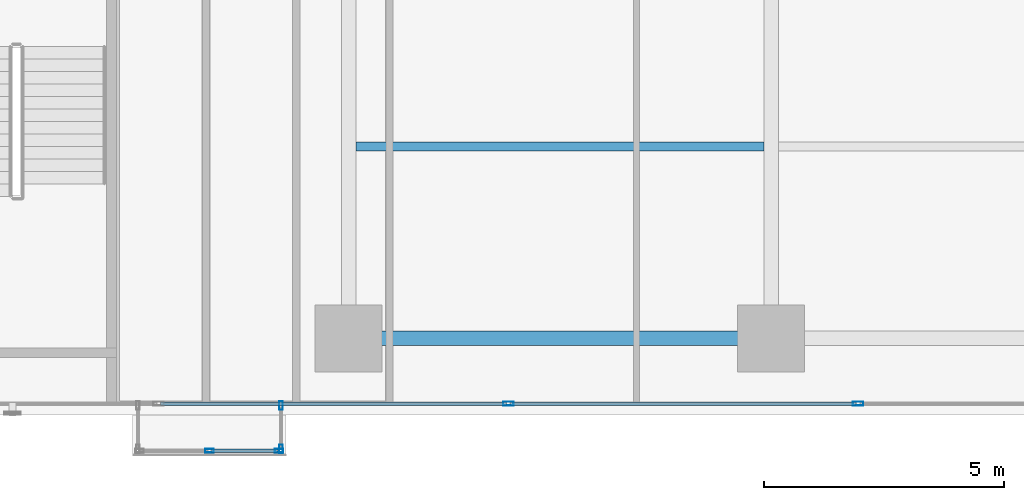
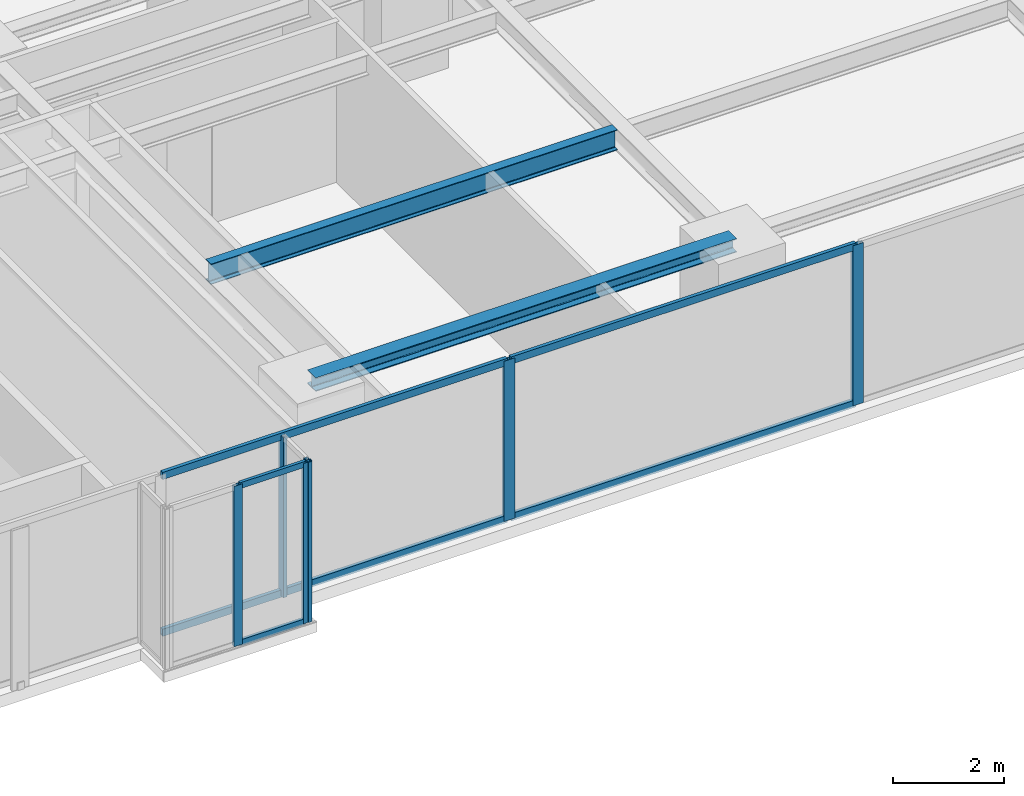
# One storey, part 12 of 26: 12 members, 2 beams, 3 elements without a shape of their own.
"""IFC4 building model written with IfcOpenShell, lengths in metres."""

from ifc_helpers import new_model, si_unit, direction, frame, origin, origin_with_axes, origin_2d, place, context, subcontext, project, spatial, hollow_rectangle, i_section, extrude, source, transform, mapped, material, layer, layer_set, material_profile, profile_set, type_object, element, aggregate, save


model = new_model("IFC4")

# Units and contexts
model_context = context("Model", 3, precision=1e-05, world=origin(), true_north=direction((0.0, 1.0)))
body_context = subcontext(model_context, "Body", "Model", "MODEL_VIEW")
ifc_project = project(units=[si_unit("LENGTHUNIT", "METRE"), si_unit("AREAUNIT", "SQUARE_METRE"), si_unit("VOLUMEUNIT", "CUBIC_METRE"), si_unit("PLANEANGLEUNIT", "RADIAN"), si_unit("MASSUNIT", "GRAM", prefix="KILO")], contexts=[model_context])

# Site, building, storey
site_placement = place(None, origin())
site = spatial("IfcSite", under=ifc_project, at=site_placement, CompositionType="ELEMENT")
building_placement = place(site_placement, origin())
building = spatial("IfcBuilding", under=site, at=building_placement, Name="Kolvaren Waterfront Exchange", CompositionType="ELEMENT")
storey_placement = place(building_placement, frame((0.0, 0.0, 99.300048828125)))
storey = spatial("IfcBuildingStorey", under=building, at=storey_placement, Name="L25", CompositionType="ELEMENT", Elevation=99.300048828125)

# Beams
ifc_material_1 = material(Name="Steel S355", Category="steel")
ifc_material_profile_1 = material_profile(ifc_material_1, i_section(OverallWidth=0.300048828125, OverallDepth=0.300048828125, WebThickness=0.010986328125, FlangeThickness=0.01904296875, FilletRadius=0.027099609375, at=origin_2d()), Name="HEB300")
ifc_profile_set_1 = profile_set([ifc_material_profile_1], Name="Steel S355")
beam_type_1 = type_object("IfcBeamType", Name="STR-BM-HEB300", PredefinedType="SPANDREL", material=ifc_profile_set_1)
beam_1_placement = place(storey_placement, frame((36.800048828125, 5.199951171875, 3.389892578125), z_axis=(1.0, 0.0, 0.0), x_axis=(0.0, 1.0, 0.0)))
element("IfcBeam", 1, at=beam_1_placement, inside=storey, type_object=beam_type_1, Name="L25 east-arm spandrel S3", PredefinedType="SPANDREL", context=body_context, shape_type="SweptSolid", body=[
    extrude(i_section(OverallWidth=0.300048828125, OverallDepth=0.300048828125, WebThickness=0.010986328125, FlangeThickness=0.01904296875, FilletRadius=0.027099609375, at=origin_2d()), origin(), (0.0, 0.0, 1.0), 8.800048828125),
])
ifc_material_profile_2 = material_profile(ifc_material_1, i_section(OverallWidth=0.18994140625, OverallDepth=0.449951171875, WebThickness=0.009521484375, FlangeThickness=0.0146484375, FilletRadius=0.02099609375, at=origin_2d()), Name="IPE450")
ifc_profile_set_2 = profile_set([ifc_material_profile_2], Name="Steel S355")
beam_type_2 = type_object("IfcBeamType", Name="STR-BM-IPE450", PredefinedType="JOIST", material=ifc_profile_set_2)
beam_2_placement = place(storey_placement, frame((36.951904296875, 9.199951171875, 3.31494140625), z_axis=(1.0, 0.0, 0.0), x_axis=(0.0, 1.0, 0.0)))
element("IfcBeam", 2, at=beam_2_placement, inside=storey, type_object=beam_type_2, Name="L25 east-arm composite joist 3B", PredefinedType="JOIST", context=body_context, shape_type="SweptSolid", body=[
    extrude(i_section(OverallWidth=0.18994140625, OverallDepth=0.449951171875, WebThickness=0.009521484375, FlangeThickness=0.0146484375, FilletRadius=0.02099609375, at=origin_2d()), origin(), (0.0, 0.0, 1.0), 8.49609375),
])

# Curtain wall, members
ifc_material_2 = material(Name="Anodised bronze aluminium 6063-T6", Category="aluminium")
ifc_layer_1 = layer(ifc_material_2, 0.219970703125, Name="Anodised bronze aluminium 6063-T6")
ifc_layer_set_1 = layer_set([ifc_layer_1], Name="Anodised bronze aluminium 6063-T6")
curtain_wall_type_1 = type_object("IfcCurtainWallType", Name="ARC-CW-SYS3", PredefinedType="USERDEFINED", material=ifc_layer_set_1)
curtain_wall_1_placement = place(storey_placement, origin())
curtain_wall_1 = element("IfcCurtainWall", 3, at=curtain_wall_1_placement, inside=storey, type_object=curtain_wall_type_1, Name="L25 stick curtain wall CW3 (CW-L25-BOX)", ObjectType="STICK CURTAIN WALL", PredefinedType="USERDEFINED")
ifc_material_profile_3 = material_profile(ifc_material_2, hollow_rectangle(XDim=0.074951171875, YDim=0.179931640625, WallThickness=0.00439453125, at=origin_2d()), Name="ALU-MUL-180x75x4.5")
ifc_profile_set_3 = profile_set([ifc_material_profile_3], Name="Anodised bronze aluminium 6063-T6")
member_type_1 = type_object("IfcMemberType", Name="ARC-CWM-180", PredefinedType="MULLION", material=ifc_profile_set_3)
shared_shape_1 = source(origin_with_axes(), body_context, "Body", "SweptSolid", [
    extrude(hollow_rectangle(XDim=0.074951171875, YDim=0.179931640625, WallThickness=0.00439453125, at=origin_2d()), origin(), (0.0, 0.0, 1.0), 3.5400390625),
])
member_1_placement = place(storey_placement, frame((33.89990234375, 2.860107421875, 0.0), z_axis=(0.0, 0.0, 1.0), x_axis=(0.0, 1.0, 0.0)))
member_1 = element("IfcMember", 4, at=member_1_placement, type_object=member_type_1, Name="CW3 mullion 2", PredefinedType="MULLION", context=body_context, shape_type="MappedRepresentation", body=[
    mapped(shared_shape_1, transform((0.0, 0.0, 0.0), x_axis=(1.0, 0.0, 0.0), y_axis=(0.0, 1.0, 0.0), z_axis=(0.0, 0.0, 1.0), scale=1.0)),
])
member_2_placement = place(storey_placement, frame((35.3525390625, 2.860107421875, 0.0), z_axis=(0.0, 0.0, 1.0), x_axis=(0.0, 1.0, 0.0)))
member_2 = element("IfcMember", 5, at=member_2_placement, type_object=member_type_1, Name="CW3 mullion 3", PredefinedType="MULLION", context=body_context, shape_type="MappedRepresentation", body=[
    mapped(shared_shape_1, transform((0.0, 0.0, 0.0), x_axis=(1.0, 0.0, 0.0), y_axis=(0.0, 1.0, 0.0), z_axis=(0.0, 0.0, 1.0), scale=1.0)),
])

curtain_wall_2_placement = place(storey_placement, origin())
curtain_wall_2 = element("IfcCurtainWall", 6, at=curtain_wall_2_placement, inside=storey, type_object=curtain_wall_type_1, Name="L25 stick curtain wall CW3 (CW-L25-BOX-E)", ObjectType="STICK CURTAIN WALL", PredefinedType="USERDEFINED")
member_3_placement = place(storey_placement, frame((35.389892578125, 2.8974609375, 0.0), z_axis=(0.0, 0.0, 1.0), x_axis=(-1.0, 0.0, 0.0)))
member_3 = element("IfcMember", 7, at=member_3_placement, type_object=member_type_1, Name="CW3 mullion 1", PredefinedType="MULLION", context=body_context, shape_type="MappedRepresentation", body=[
    mapped(shared_shape_1, transform((0.0, 0.0, 0.0), x_axis=(1.0, 0.0, 0.0), y_axis=(0.0, 1.0, 0.0), z_axis=(0.0, 0.0, 1.0), scale=1.0)),
])
member_4_placement = place(storey_placement, frame((35.389892578125, 3.802490234375, 0.0), z_axis=(0.0, 0.0, 1.0), x_axis=(-1.0, 0.0, 0.0)))
member_4 = element("IfcMember", 8, at=member_4_placement, type_object=member_type_1, Name="CW3 mullion 2", PredefinedType="MULLION", context=body_context, shape_type="MappedRepresentation", body=[
    mapped(shared_shape_1, transform((0.0, 0.0, 0.0), x_axis=(1.0, 0.0, 0.0), y_axis=(0.0, 1.0, 0.0), z_axis=(0.0, 0.0, 1.0), scale=1.0)),
])
aggregate(curtain_wall_2, [member_3, member_4])

# Member
ifc_material_profile_4 = material_profile(ifc_material_2, hollow_rectangle(XDim=0.06494140625, YDim=0.1298828125, WallThickness=0.00390625, at=origin_2d()), Name="ALU-TRN-130x65x4")
ifc_profile_set_4 = profile_set([ifc_material_profile_4], Name="Anodised bronze aluminium 6063-T6")
member_type_2 = type_object("IfcMemberType", Name="ARC-CWT-130", PredefinedType="USERDEFINED", material=ifc_profile_set_4)
shared_shape_2 = source(origin_with_axes(), body_context, "Body", "SweptSolid", [
    extrude(hollow_rectangle(XDim=0.06494140625, YDim=0.1298828125, WallThickness=0.00390625, at=origin_2d()), origin(), (0.0, 0.0, 1.0), 1.37744140625),
])
member_5_placement = place(storey_placement, frame((33.9375, 2.860107421875, 0.032470703125), z_axis=(1.0, 0.0, 0.0), x_axis=(0.0, 1.0, 0.0)))
member_5 = element("IfcMember", 9, at=member_5_placement, type_object=member_type_2, Name="CW3 transom 2.1", ObjectType="TRANSOM", PredefinedType="USERDEFINED", context=body_context, shape_type="MappedRepresentation", body=[
    mapped(shared_shape_2, transform((0.0, 0.0, 0.0), x_axis=(1.0, 0.0, 0.0), y_axis=(0.0, 1.0, 0.0), z_axis=(0.0, 0.0, 1.0), scale=1.0)),
])

member_6_placement = place(storey_placement, frame((33.9375, 2.860107421875, 3.507568359375), z_axis=(1.0, 0.0, 0.0), x_axis=(0.0, 1.0, 0.0)))
member_6 = element("IfcMember", 10, at=member_6_placement, type_object=member_type_2, Name="CW3 transom 2.2", ObjectType="TRANSOM", PredefinedType="USERDEFINED", context=body_context, shape_type="MappedRepresentation", body=[
    mapped(shared_shape_2, transform((0.0, 0.0, 0.0), x_axis=(1.0, 0.0, 0.0), y_axis=(0.0, 1.0, 0.0), z_axis=(0.0, 0.0, 1.0), scale=1.0)),
])

aggregate(curtain_wall_1, [member_1, member_2, member_5, member_6])

# Curtain wall, members
ifc_layer_2 = layer(ifc_material_2, 0.219970703125, Name="Anodised bronze aluminium 6063-T6")
ifc_layer_set_2 = layer_set([ifc_layer_2], Name="Anodised bronze aluminium 6063-T6")
curtain_wall_type_2 = type_object("IfcCurtainWallType", Name="ARC-CW-SYS1", PredefinedType="USERDEFINED", material=ifc_layer_set_2)
curtain_wall_3_placement = place(storey_placement, origin())
curtain_wall_3 = element("IfcCurtainWall", 11, at=curtain_wall_3_placement, inside=storey, type_object=curtain_wall_type_2, Name="L25 stick curtain wall CW1 (CW-L25-S)", ObjectType="STICK CURTAIN WALL", PredefinedType="USERDEFINED")
ifc_material_3 = material(Name="Anodised aluminium 6063-T6", Category="aluminium")
ifc_material_profile_5 = material_profile(ifc_material_3, hollow_rectangle(XDim=0.080078125, YDim=0.219970703125, WallThickness=0.0048828125, at=origin_2d()), Name="ALU-MUL-220x80x5")
ifc_profile_set_5 = profile_set([ifc_material_profile_5], Name="Anodised aluminium 6063-T6")
member_type_3 = type_object("IfcMemberType", Name="ARC-CWM-220", PredefinedType="MULLION", material=ifc_profile_set_5)
shared_shape_3 = source(origin_with_axes(), body_context, "Body", "SweptSolid", [
    extrude(hollow_rectangle(XDim=0.080078125, YDim=0.219970703125, WallThickness=0.0048828125, at=origin_2d()), origin(), (0.0, 0.0, 1.0), 3.5400390625),
])
member_7_placement = place(storey_placement, frame((40.128662109375, 3.840087890625, 0.0), z_axis=(0.0, 0.0, 1.0), x_axis=(0.0, 1.0, 0.0)))
member_7 = element("IfcMember", 12, at=member_7_placement, type_object=member_type_3, Name="CW1 mullion 6", PredefinedType="MULLION", context=body_context, shape_type="MappedRepresentation", body=[
    mapped(shared_shape_3, transform((0.0, 0.0, 0.0), x_axis=(1.0, 0.0, 0.0), y_axis=(0.0, 1.0, 0.0), z_axis=(0.0, 0.0, 1.0), scale=1.0)),
])
member_8_placement = place(storey_placement, frame((47.414306640625, 3.840087890625, 0.0), z_axis=(0.0, 0.0, 1.0), x_axis=(0.0, 1.0, 0.0)))
member_8 = element("IfcMember", 13, at=member_8_placement, type_object=member_type_3, Name="CW1 mullion 7", PredefinedType="MULLION", context=body_context, shape_type="MappedRepresentation", body=[
    mapped(shared_shape_3, transform((0.0, 0.0, 0.0), x_axis=(1.0, 0.0, 0.0), y_axis=(0.0, 1.0, 0.0), z_axis=(0.0, 0.0, 1.0), scale=1.0)),
])
ifc_material_profile_6 = material_profile(ifc_material_3, hollow_rectangle(XDim=0.074951171875, YDim=0.159912109375, WallThickness=0.00439453125, at=origin_2d()), Name="ALU-TRN-160x75x4.5")
ifc_profile_set_6 = profile_set([ifc_material_profile_6], Name="Anodised aluminium 6063-T6")
member_type_4 = type_object("IfcMemberType", Name="ARC-CWT-160", PredefinedType="USERDEFINED", material=ifc_profile_set_6)
shared_shape_4 = source(origin_with_axes(), body_context, "Body", "SweptSolid", [
    extrude(hollow_rectangle(XDim=0.074951171875, YDim=0.159912109375, WallThickness=0.00439453125, at=origin_2d()), origin(), (0.0, 0.0, 1.0), 7.205810546875),
])
member_9_placement = place(storey_placement, frame((32.8828125, 3.840087890625, 0.037353515625), z_axis=(1.0, 0.0, 0.0), x_axis=(0.0, 1.0, 0.0)))
member_9 = element("IfcMember", 14, at=member_9_placement, type_object=member_type_4, Name="CW1 transom 5.1", ObjectType="TRANSOM", PredefinedType="USERDEFINED", context=body_context, shape_type="MappedRepresentation", body=[
    mapped(shared_shape_4, transform((0.0, 0.0, 0.0), x_axis=(1.0, 0.0, 0.0), y_axis=(0.0, 1.0, 0.0), z_axis=(0.0, 0.0, 1.0), scale=1.0)),
])
member_10_placement = place(storey_placement, frame((32.8828125, 3.840087890625, 3.50244140625), z_axis=(1.0, 0.0, 0.0), x_axis=(0.0, 1.0, 0.0)))
member_10 = element("IfcMember", 15, at=member_10_placement, type_object=member_type_4, Name="CW1 transom 5.2", ObjectType="TRANSOM", PredefinedType="USERDEFINED", context=body_context, shape_type="MappedRepresentation", body=[
    mapped(shared_shape_4, transform((0.0, 0.0, 0.0), x_axis=(1.0, 0.0, 0.0), y_axis=(0.0, 1.0, 0.0), z_axis=(0.0, 0.0, 1.0), scale=1.0)),
])
member_11_placement = place(storey_placement, frame((40.16845703125, 3.840087890625, 0.037353515625), z_axis=(1.0, 0.0, 0.0), x_axis=(0.0, 1.0, 0.0)))
member_11 = element("IfcMember", 16, at=member_11_placement, type_object=member_type_4, Name="CW1 transom 6.1", ObjectType="TRANSOM", PredefinedType="USERDEFINED", context=body_context, shape_type="MappedRepresentation", body=[
    mapped(shared_shape_4, transform((0.0, 0.0, 0.0), x_axis=(1.0, 0.0, 0.0), y_axis=(0.0, 1.0, 0.0), z_axis=(0.0, 0.0, 1.0), scale=1.0)),
])
member_12_placement = place(storey_placement, frame((40.16845703125, 3.840087890625, 3.50244140625), z_axis=(1.0, 0.0, 0.0), x_axis=(0.0, 1.0, 0.0)))
member_12 = element("IfcMember", 17, at=member_12_placement, type_object=member_type_4, Name="CW1 transom 6.2", ObjectType="TRANSOM", PredefinedType="USERDEFINED", context=body_context, shape_type="MappedRepresentation", body=[
    mapped(shared_shape_4, transform((0.0, 0.0, 0.0), x_axis=(1.0, 0.0, 0.0), y_axis=(0.0, 1.0, 0.0), z_axis=(0.0, 0.0, 1.0), scale=1.0)),
])
aggregate(curtain_wall_3, [member_7, member_8, member_9, member_10, member_11, member_12])

save(model, "model.ifc")
